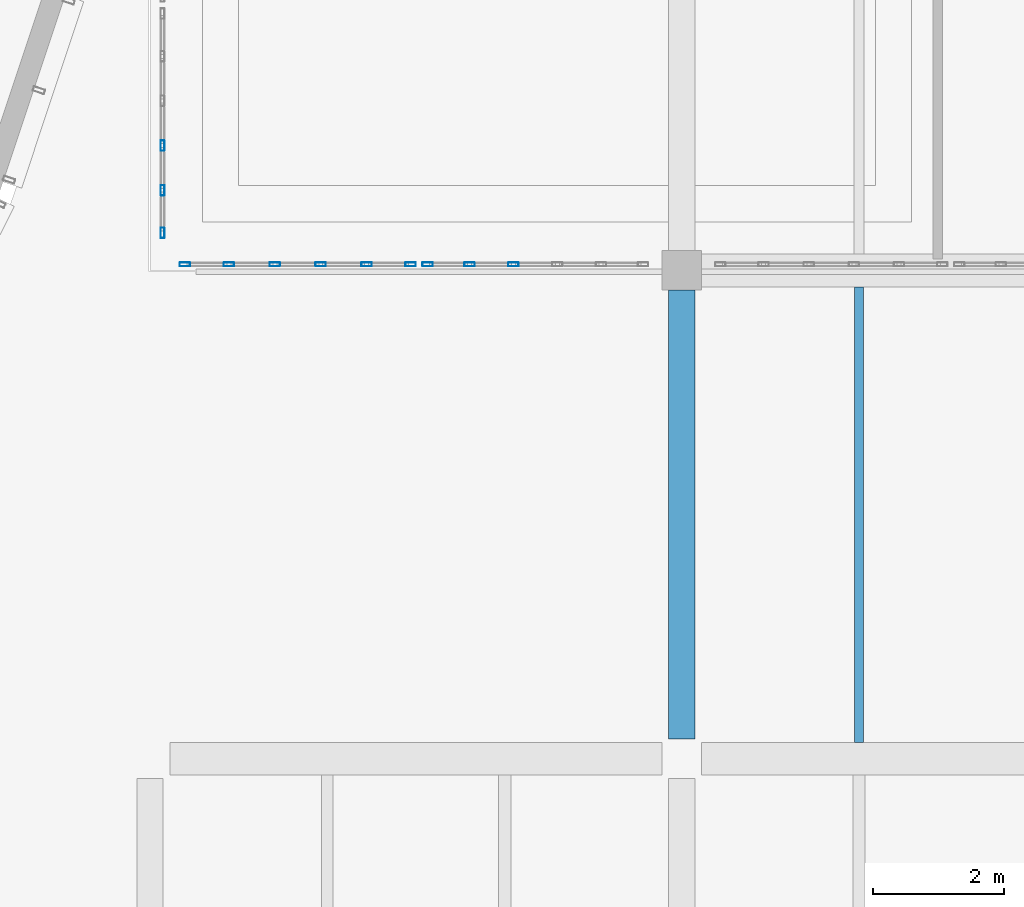
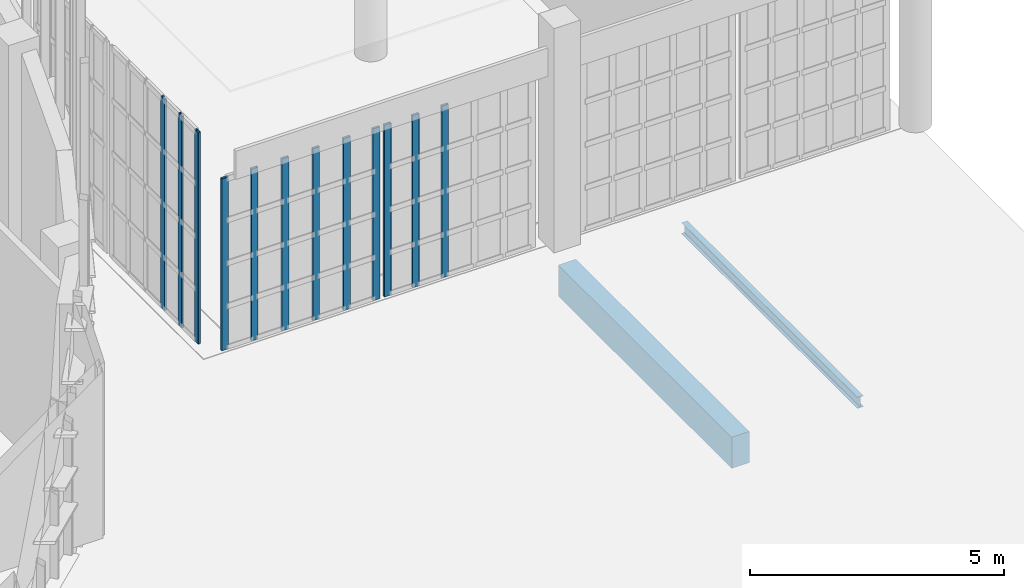
# One storey, part 267 of 372: 12 members, 2 beams, 3 elements without a shape of their own.
"""IFC4 building model written with IfcOpenShell, lengths in metres."""

from ifc_helpers import new_model, si_unit, direction, frame, origin, origin_2d, place, context, subcontext, project, spatial, rectangle, hollow_rectangle, i_section, extrude, material, material_profile, profile_set, type_object, element, aggregate, save


model = new_model("IFC4")

# Units and contexts
model_context = context("Model", 3, precision=1e-05, world=origin(), true_north=direction((0.0, 1.0)))
body_context = subcontext(model_context, "Body", "Model", "MODEL_VIEW")
ifc_project = project(units=[si_unit("LENGTHUNIT", "METRE"), si_unit("AREAUNIT", "SQUARE_METRE"), si_unit("VOLUMEUNIT", "CUBIC_METRE"), si_unit("PLANEANGLEUNIT", "RADIAN"), si_unit("MASSUNIT", "GRAM", prefix="KILO")], contexts=[model_context])

# Site, building, storey
site_placement = place(None, origin())
site = spatial("IfcSite", under=ifc_project, at=site_placement, CompositionType="ELEMENT")
building_placement = place(site_placement, origin())
building = spatial("IfcBuilding", under=site, at=building_placement, Name="Kaelora Sail Theatre", CompositionType="ELEMENT")
storey_placement = place(building_placement, origin())
storey = spatial("IfcBuildingStorey", under=building, at=storey_placement, Name="L00", CompositionType="ELEMENT", Elevation=0.0)

# Curtain wall, members
ifc_material_1 = material(Name="Anodised aluminium and solar-control low-E IGU", Category="aluminium")
curtain_wall_type_1 = type_object("IfcCurtainWallType", Name="ARC-CW-CW-NWG", PredefinedType="NOTDEFINED", material=ifc_material_1)
curtain_wall_1_placement = place(storey_placement, origin())
curtain_wall_1 = element("IfcCurtainWall", 1, at=curtain_wall_1_placement, inside=storey, type_object=curtain_wall_type_1, Name="Glazed Foyer/Conservatory Curtain Wall COLE-S-L00-01", PredefinedType="NOTDEFINED")
ifc_material_2 = material(Name="Anodised aluminium 6063-T6", Category="aluminium")
ifc_material_profile_1 = material_profile(ifc_material_2, hollow_rectangle(XDim=0.06005859375, YDim=0.159912109375, WallThickness=0.00390625, InnerFilletRadius=0.00390625, OuterFilletRadius=0.008056640625, at=origin_2d()), Name="ALU-MULL 60x160x4")
ifc_profile_set_1 = profile_set([ifc_material_profile_1], Name="Anodised aluminium 6063-T6")
member_type = type_object("IfcMemberType", Name="ARC-MEM-ML-160", PredefinedType="MULLION", material=ifc_profile_set_1)
member_1_placement = place(storey_placement, frame((147.830078125, 31.35009765625, 0.0), z_axis=(0.0, 0.0, 1.0), x_axis=(0.0, 1.0, 0.0)))
member_1 = element("IfcMember", 2, at=member_1_placement, type_object=member_type, Name="CW-NWG mullion 1", PredefinedType="MULLION", context=body_context, shape_type="SweptSolid", body=[
    extrude(hollow_rectangle(XDim=0.06005859375, YDim=0.159912109375, WallThickness=0.00390625, InnerFilletRadius=0.00390625, OuterFilletRadius=0.008056640625, at=origin_2d()), origin(), (0.0, 0.0, 1.0), 4.136962890625),
])
member_2_placement = place(storey_placement, frame((148.5, 31.35009765625, 0.0), z_axis=(0.0, 0.0, 1.0), x_axis=(0.0, 1.0, 0.0)))
member_2 = element("IfcMember", 3, at=member_2_placement, type_object=member_type, Name="CW-NWG mullion 2", PredefinedType="MULLION", context=body_context, shape_type="SweptSolid", body=[
    extrude(hollow_rectangle(XDim=0.06005859375, YDim=0.159912109375, WallThickness=0.00390625, InnerFilletRadius=0.00390625, OuterFilletRadius=0.008056640625, at=origin_2d()), origin(), (0.0, 0.0, 1.0), 4.136962890625),
])
member_3_placement = place(storey_placement, frame((149.199951171875, 31.35009765625, 0.0), z_axis=(0.0, 0.0, 1.0), x_axis=(0.0, 1.0, 0.0)))
member_3 = element("IfcMember", 4, at=member_3_placement, type_object=member_type, Name="CW-NWG mullion 3", PredefinedType="MULLION", context=body_context, shape_type="SweptSolid", body=[
    extrude(hollow_rectangle(XDim=0.06005859375, YDim=0.159912109375, WallThickness=0.00390625, InnerFilletRadius=0.00390625, OuterFilletRadius=0.008056640625, at=origin_2d()), origin(), (0.0, 0.0, 1.0), 4.136962890625),
])
member_4_placement = place(storey_placement, frame((149.89990234375, 31.35009765625, 0.0), z_axis=(0.0, 0.0, 1.0), x_axis=(0.0, 1.0, 0.0)))
member_4 = element("IfcMember", 5, at=member_4_placement, type_object=member_type, Name="CW-NWG mullion 4", PredefinedType="MULLION", context=body_context, shape_type="SweptSolid", body=[
    extrude(hollow_rectangle(XDim=0.06005859375, YDim=0.159912109375, WallThickness=0.00390625, InnerFilletRadius=0.00390625, OuterFilletRadius=0.008056640625, at=origin_2d()), origin(), (0.0, 0.0, 1.0), 4.136962890625),
])
member_5_placement = place(storey_placement, frame((150.60009765625, 31.35009765625, 0.0), z_axis=(0.0, 0.0, 1.0), x_axis=(0.0, 1.0, 0.0)))
member_5 = element("IfcMember", 6, at=member_5_placement, type_object=member_type, Name="CW-NWG mullion 5", PredefinedType="MULLION", context=body_context, shape_type="SweptSolid", body=[
    extrude(hollow_rectangle(XDim=0.06005859375, YDim=0.159912109375, WallThickness=0.00390625, InnerFilletRadius=0.00390625, OuterFilletRadius=0.008056640625, at=origin_2d()), origin(), (0.0, 0.0, 1.0), 4.136962890625),
])
member_6_placement = place(storey_placement, frame((151.27001953125, 31.35009765625, 0.0), z_axis=(0.0, 0.0, 1.0), x_axis=(0.0, 1.0, 0.0)))
member_6 = element("IfcMember", 7, at=member_6_placement, type_object=member_type, Name="CW-NWG mullion 6", PredefinedType="MULLION", context=body_context, shape_type="SweptSolid", body=[
    extrude(hollow_rectangle(XDim=0.06005859375, YDim=0.159912109375, WallThickness=0.00390625, InnerFilletRadius=0.00390625, OuterFilletRadius=0.008056640625, at=origin_2d()), origin(), (0.0, 0.0, 1.0), 4.136962890625),
])
aggregate(curtain_wall_1, [member_1, member_2, member_3, member_4, member_5, member_6])

curtain_wall_2_placement = place(storey_placement, origin())
curtain_wall_2 = element("IfcCurtainWall", 8, at=curtain_wall_2_placement, inside=storey, type_object=curtain_wall_type_1, Name="Glazed Foyer/Conservatory Curtain Wall COLE-S-L00-02", PredefinedType="NOTDEFINED")
member_7_placement = place(storey_placement, frame((151.530029296875, 31.35009765625, 0.0), z_axis=(0.0, 0.0, 1.0), x_axis=(0.0, 1.0, 0.0)))
member_7 = element("IfcMember", 9, at=member_7_placement, type_object=member_type, Name="CW-NWG mullion 1", PredefinedType="MULLION", context=body_context, shape_type="SweptSolid", body=[
    extrude(hollow_rectangle(XDim=0.06005859375, YDim=0.159912109375, WallThickness=0.00390625, InnerFilletRadius=0.00390625, OuterFilletRadius=0.008056640625, at=origin_2d()), origin(), (0.0, 0.0, 1.0), 4.136962890625),
])
member_8_placement = place(storey_placement, frame((152.16796875, 31.35009765625, 0.0), z_axis=(0.0, 0.0, 1.0), x_axis=(0.0, 1.0, 0.0)))
member_8 = element("IfcMember", 10, at=member_8_placement, type_object=member_type, Name="CW-NWG mullion 2", PredefinedType="MULLION", context=body_context, shape_type="SweptSolid", body=[
    extrude(hollow_rectangle(XDim=0.06005859375, YDim=0.159912109375, WallThickness=0.00390625, InnerFilletRadius=0.00390625, OuterFilletRadius=0.008056640625, at=origin_2d()), origin(), (0.0, 0.0, 1.0), 4.136962890625),
])
member_9_placement = place(storey_placement, frame((152.8359375, 31.35009765625, 0.0), z_axis=(0.0, 0.0, 1.0), x_axis=(0.0, 1.0, 0.0)))
member_9 = element("IfcMember", 11, at=member_9_placement, type_object=member_type, Name="CW-NWG mullion 3", PredefinedType="MULLION", context=body_context, shape_type="SweptSolid", body=[
    extrude(hollow_rectangle(XDim=0.06005859375, YDim=0.159912109375, WallThickness=0.00390625, InnerFilletRadius=0.00390625, OuterFilletRadius=0.008056640625, at=origin_2d()), origin(), (0.0, 0.0, 1.0), 4.136962890625),
])
aggregate(curtain_wall_2, [member_7, member_8, member_9])

ifc_material_3 = material(Name="Anodised aluminium and solar-control low-E IGU", Category="aluminium")
curtain_wall_type_2 = type_object("IfcCurtainWallType", Name="ARC-CW-CW-FOY2", PredefinedType="NOTDEFINED", material=ifc_material_3)
curtain_wall_3_placement = place(storey_placement, origin())
curtain_wall_3 = element("IfcCurtainWall", 12, at=curtain_wall_3_placement, inside=storey, type_object=curtain_wall_type_2, Name="Glazed Colonnade/Courtyard Curtain Wall COLE-W-L00-01", PredefinedType="NOTDEFINED")
member_10_placement = place(storey_placement, frame((147.489990234375, 31.830078125, 0.0), z_axis=(0.0, 0.0, 1.0), x_axis=(-1.0, 0.0, 0.0)))
member_10 = element("IfcMember", 13, at=member_10_placement, type_object=member_type, Name="CW-FOY2 mullion 1", PredefinedType="MULLION", context=body_context, shape_type="SweptSolid", body=[
    extrude(hollow_rectangle(XDim=0.06005859375, YDim=0.159912109375, WallThickness=0.00390625, InnerFilletRadius=0.00390625, OuterFilletRadius=0.008056640625, at=origin_2d()), origin(), (0.0, 0.0, 1.0), 5.0849609375),
])
member_11_placement = place(storey_placement, frame((147.489990234375, 32.47998046875, 0.0), z_axis=(0.0, 0.0, 1.0), x_axis=(-1.0, 0.0, 0.0)))
member_11 = element("IfcMember", 14, at=member_11_placement, type_object=member_type, Name="CW-FOY2 mullion 2", PredefinedType="MULLION", context=body_context, shape_type="SweptSolid", body=[
    extrude(hollow_rectangle(XDim=0.06005859375, YDim=0.159912109375, WallThickness=0.00390625, InnerFilletRadius=0.00390625, OuterFilletRadius=0.008056640625, at=origin_2d()), origin(), (0.0, 0.0, 1.0), 5.0849609375),
])
member_12_placement = place(storey_placement, frame((147.489990234375, 33.159912109375, 0.0), z_axis=(0.0, 0.0, 1.0), x_axis=(-1.0, 0.0, 0.0)))
member_12 = element("IfcMember", 15, at=member_12_placement, type_object=member_type, Name="CW-FOY2 mullion 3", PredefinedType="MULLION", context=body_context, shape_type="SweptSolid", body=[
    extrude(hollow_rectangle(XDim=0.06005859375, YDim=0.159912109375, WallThickness=0.00390625, InnerFilletRadius=0.00390625, OuterFilletRadius=0.008056640625, at=origin_2d()), origin(), (0.0, 0.0, 1.0), 5.0849609375),
])
aggregate(curtain_wall_3, [member_10, member_11, member_12])

# Beams
ifc_material_4 = material(Name="Concrete C40/50", Category="concrete")
ifc_material_profile_2 = material_profile(ifc_material_4, rectangle(XDim=0.39990234375, YDim=0.75, at=origin_2d()), Name="RC-BM 400x750")
ifc_profile_set_2 = profile_set([ifc_material_profile_2], Name="Concrete C40/50")
beam_type_1 = type_object("IfcBeamType", Name="STR-BM-BM-RC4075", PredefinedType="BEAM", material=ifc_profile_set_2)
beam_1_placement = place(storey_placement, frame((155.39990234375, 24.1201171875, -0.695068359375), z_axis=(0.0, 1.0, 0.0), x_axis=(-1.0, 0.0, 0.0)))
element("IfcBeam", 16, at=beam_1_placement, inside=storey, type_object=beam_type_1, Name="Primary beam 20 D-E (L00)", PredefinedType="BEAM", context=body_context, shape_type="SweptSolid", body=[
    extrude(rectangle(XDim=0.39990234375, YDim=0.75, at=origin_2d()), origin(), (0.0, 0.0, 1.0), 6.83984375),
])
ifc_material_5 = material(Name="Steel S355", Category="steel")
ifc_material_profile_3 = material_profile(ifc_material_5, i_section(OverallWidth=0.135009765625, OverallDepth=0.27001953125, WebThickness=0.006591796875, FlangeThickness=0.01025390625, FilletRadius=0.014892578125, at=origin_2d()), Name="IPE 270")
ifc_profile_set_3 = profile_set([ifc_material_profile_3], Name="Steel S355")
beam_type_2 = type_object("IfcBeamType", Name="STR-BM-JS-IPE270", PredefinedType="JOIST", material=ifc_profile_set_3)
beam_2_placement = place(storey_placement, frame((158.10009765625, 24.070068359375, -0.455078125), z_axis=(0.0, 1.0, 0.0), x_axis=(-1.0, 0.0, 0.0)))
element("IfcBeam", 17, at=beam_2_placement, inside=storey, type_object=beam_type_2, Name="Secondary floor joist 20/D-1 (L00)", PredefinedType="JOIST", context=body_context, shape_type="SweptSolid", body=[
    extrude(i_section(OverallWidth=0.135009765625, OverallDepth=0.27001953125, WebThickness=0.006591796875, FlangeThickness=0.01025390625, FilletRadius=0.014892578125, at=origin_2d()), origin(), (0.0, 0.0, 1.0), 6.93994140625),
])

save(model, "model.ifc")
